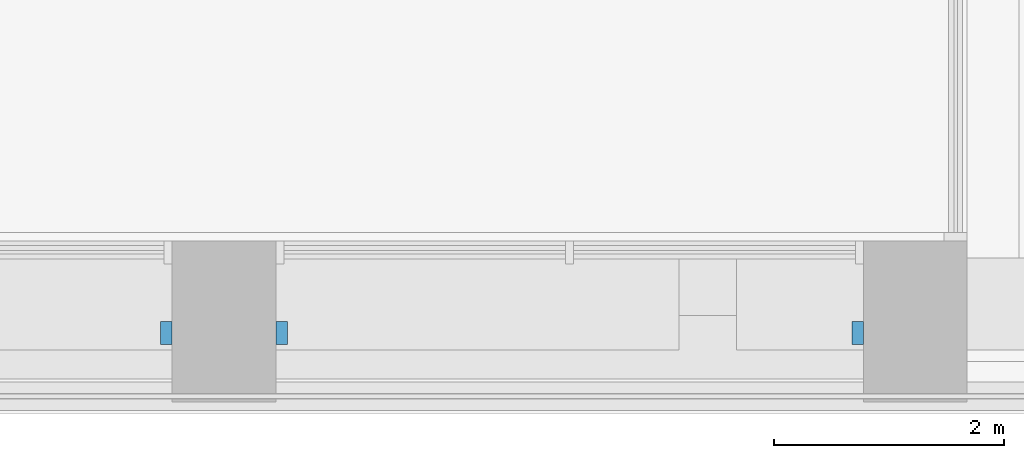
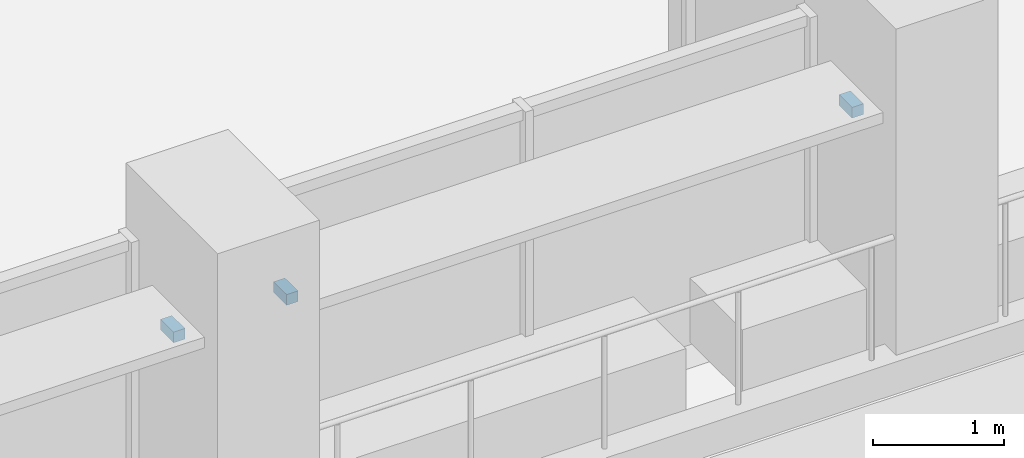
# One storey, part 14 of 18: 3 discrete accessories.
"""IFC4 building model written with IfcOpenShell, lengths in metres."""

from ifc_helpers import new_model, si_unit, direction, frame, origin, origin_2d, place, context, subcontext, project, spatial, rectangle, extrude, element, save


model = new_model("IFC4")

# Units and contexts
model_context = context("Model", 3, precision=1e-05, world=origin(), true_north=direction((0.0, 1.0)))
body_context = subcontext(model_context, "Body", "Model", "MODEL_VIEW")
ifc_project = project(units=[si_unit("LENGTHUNIT", "METRE"), si_unit("AREAUNIT", "SQUARE_METRE"), si_unit("VOLUMEUNIT", "CUBIC_METRE"), si_unit("PLANEANGLEUNIT", "RADIAN"), si_unit("MASSUNIT", "GRAM", prefix="KILO")], contexts=[model_context])

# Site, building, storey
site_placement = place(None, origin())
site = spatial("IfcSite", under=ifc_project, at=site_placement, CompositionType="ELEMENT")
building_placement = place(site_placement, origin())
building = spatial("IfcBuilding", under=site, at=building_placement, Name="Calvaro Tower", CompositionType="ELEMENT")
storey_placement = place(building_placement, frame((0.0, 0.0, 95.0)))
storey = spatial("IfcBuildingStorey", under=building, at=storey_placement, Name="L23", CompositionType="ELEMENT", Elevation=95.0)

# Discrete accessories
for number, where, z_axis, x_axis, name in (
    (1, (59.5, 2.10009765625, 2.25), (0.0, 0.0, 1.0), (1.0, 0.0, 0.0), "Brise-soleil bracket"),
    (2, (60.5, 2.10009765625, 2.25), (0.0, 0.0, 1.0), (1.0, 0.0, 0.0), "Brise-soleil bracket"),
    (3, (65.5, 2.10009765625, 2.25), (0.0, 0.0, 1.0), (1.0, 0.0, 0.0), "Brise-soleil bracket"),
):
    element("IfcDiscreteAccessory", number, at=place(storey_placement, frame(where, z_axis=z_axis, x_axis=x_axis)), inside=storey, Name=name, PredefinedType="BRACKET", context=body_context, shape_type="SweptSolid", body=[
        extrude(rectangle(XDim=0.10009765625, YDim=0.199951171875, at=origin_2d()), origin(), (0.0, 0.0, 1.0), 0.10009765625),
    ])

save(model, "model.ifc")
